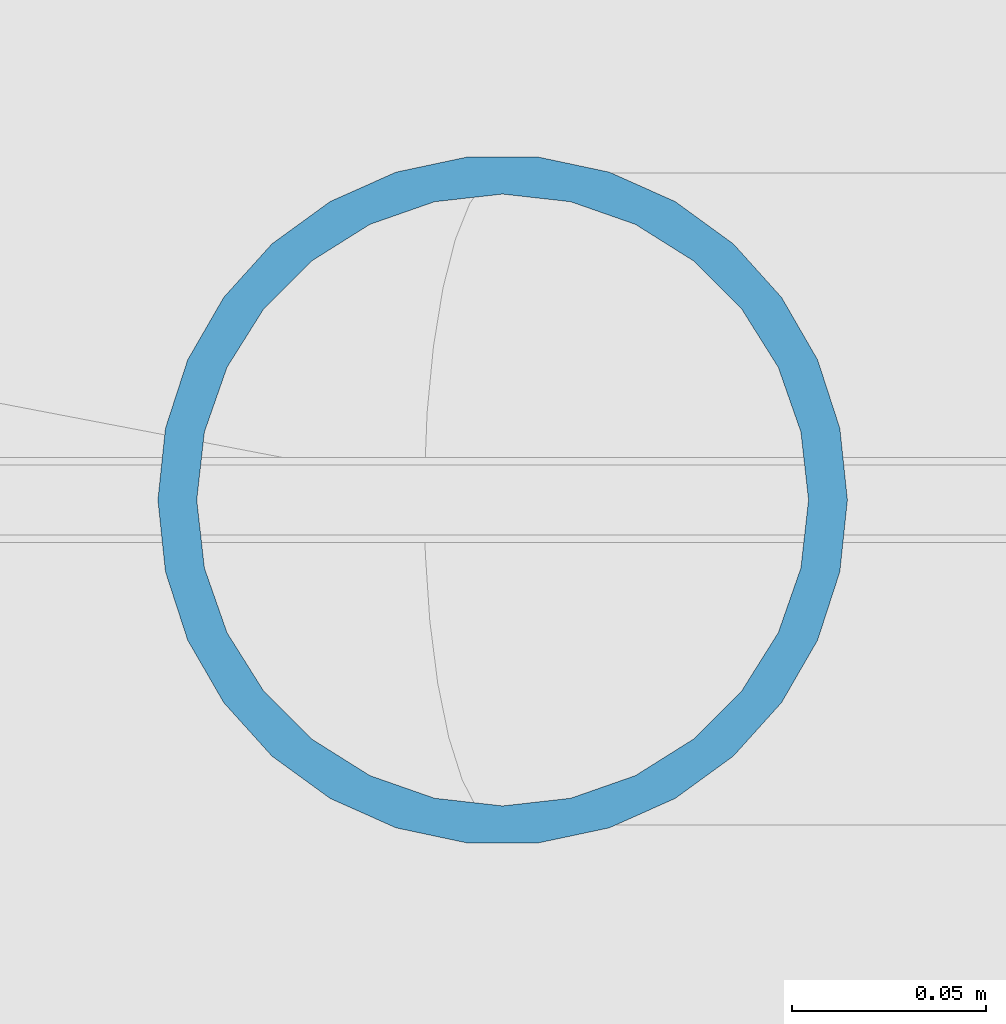
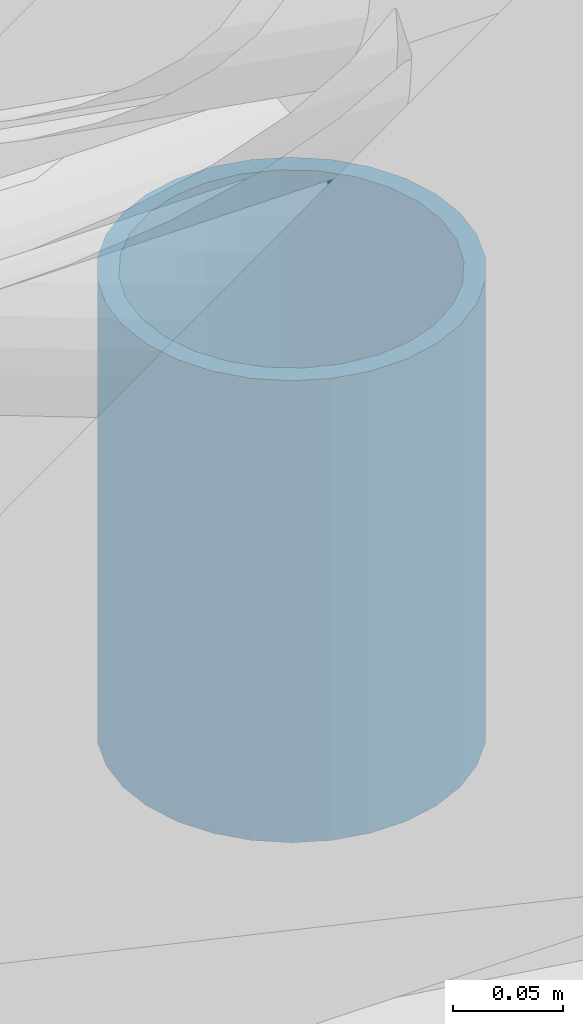
# One storey, part 42 of 66: 1 member.
"""IFC4 building model written with IfcOpenShell, lengths in metres."""

import ifcopenshell
import ifcopenshell.guid

model = None  # the IFC model being written
_history = None  # IfcOwnerHistory: only IFC2X3 demands one
_inside = {}  # id of a spatial element -> (the spatial element, [elements in it])
_under = {}  # id of a project, library or spatial element -> (it, [spatial elements below it])
_declared = {}  # id of a project -> (the project, [libraries it declares])
_typed = {}  # id of a type object -> (the type object, [elements of that type])
_made_of = {}  # id of a material, layer set ... -> (it, [elements and type objects made of it])


def new_model(schema):
    """Start an empty IFC model of exactly this schema.

    Asked for "IFC4X3", IfcOpenShell would pick the latest addendum, in which some entities
    have other attributes; the version numbers below select the first issue.
    IFC2X3 requires an IfcOwnerHistory on every rooted entity: one is made here for all.
    """
    global model, _history
    if schema == "IFC4X3":
        model = ifcopenshell.file(schema_version=(4, 3, 0, 0))
    else:
        model = ifcopenshell.file(schema=schema)
    _inside.clear()
    _under.clear()
    _declared.clear()
    _typed.clear()
    _made_of.clear()
    _history = None
    if model.schema == "IFC2X3":
        org = make("IfcOrganization", Name="unknown")
        user = make(
            "IfcPersonAndOrganization",
            ThePerson=make("IfcPerson", FamilyName="unknown"),
            TheOrganization=org,
        )
        app = make(
            "IfcApplication",
            ApplicationDeveloper=org,
            Version="unknown",
            ApplicationFullName="unknown",
            ApplicationIdentifier="unknown",
        )
        _history = make(
            "IfcOwnerHistory",
            OwningUser=user,
            OwningApplication=app,
            ChangeAction="ADDED",
            CreationDate=0,
        )
    return model


def make(cls, **values):
    """One entity of the class cls with the attributes given. An attribute that is None is left unset."""
    return model.create_entity(
        cls, **{name: value for name, value in values.items() if value is not None}
    )


def rooted(cls, **values):
    """An entity with a GlobalId (a new one), such as an element, a storey or a relation."""
    return make(cls, GlobalId=ifcopenshell.guid.new(), OwnerHistory=_history, **values)


def si_unit(unit_type, name, prefix=None):
    """IfcSIUnit, for example si_unit("LENGTHUNIT", "METRE", prefix="MILLI")."""
    return make("IfcSIUnit", UnitType=unit_type, Prefix=prefix, Name=name)


def assignment(units):
    """IfcUnitAssignment: the units of a project."""
    return None if units is None else make("IfcUnitAssignment", Units=units)


def point(xyz):
    """IfcCartesianPoint."""
    return None if xyz is None else make("IfcCartesianPoint", Coordinates=xyz)


def direction(xyz):
    """IfcDirection."""
    return None if xyz is None else make("IfcDirection", DirectionRatios=xyz)


def frame(location, z_axis=None, x_axis=None):
    """IfcAxis2Placement3D, a coordinate frame: its origin and axes. An axis left out is left unset."""
    return make(
        "IfcAxis2Placement3D",
        Location=point(location),
        Axis=direction(z_axis),
        RefDirection=direction(x_axis),
    )


def frame_2d(location, x_axis=None):
    """IfcAxis2Placement2D, a coordinate frame in the plane: its origin and x axis."""
    return make(
        "IfcAxis2Placement2D", Location=point(location), RefDirection=direction(x_axis)
    )


def origin():
    """The frame at (0, 0, 0) with its axes left unset."""
    return frame((0.0, 0.0, 0.0))


def origin_2d():
    """The frame at (0, 0) in the plane with its x axis left unset."""
    return frame_2d((0.0, 0.0))


def place(relative_to, where):
    """IfcLocalPlacement: puts the frame where relative to a parent placement (None: the world)."""
    return make(
        "IfcLocalPlacement", PlacementRelTo=relative_to, RelativePlacement=where
    )


def context(
    kind, dimensions, precision=None, world=None, true_north=None, identifier=None
):
    """IfcGeometricRepresentationContext, for example the 3D "Model" context."""
    return make(
        "IfcGeometricRepresentationContext",
        ContextIdentifier=identifier,
        ContextType=kind,
        CoordinateSpaceDimension=dimensions,
        Precision=precision,
        WorldCoordinateSystem=world,
        TrueNorth=true_north,
    )


def subcontext(parent, identifier, kind, view, scale=None):
    """IfcGeometricRepresentationSubContext, for example "Body" below "Model"."""
    return make(
        "IfcGeometricRepresentationSubContext",
        ContextIdentifier=identifier,
        ContextType=kind,
        ParentContext=parent,
        TargetScale=scale,
        TargetView=view,
    )


def project(units=None, contexts=None):
    """IfcProject with its units and contexts."""
    return rooted(
        "IfcProject",
        Name="project",
        RepresentationContexts=contexts,
        UnitsInContext=assignment(units),
    )


def spatial(cls, under=None, at=None, **own):
    """A site, building, storey or space (cls), placed at a placement, below another one or the project."""
    s = rooted(cls, ObjectPlacement=at, **own)
    if under is not None:
        _under.setdefault(under.id(), (under, []))[1].append(s)
    return s


def profile(cls, at=None, kind="AREA", **sizes):
    """A parametric profile (cls). Its sizes go by their IFC names, for example OverallWidth=200.0."""
    return make(cls, ProfileType=kind, Position=at, **sizes)


def hollow_circle(**sizes):
    """IfcCircleHollowProfileDef."""
    return profile("IfcCircleHollowProfileDef", **sizes)


def extrude(swept, where, along, depth):
    """IfcExtrudedAreaSolid: the profile swept, set in the frame where, extruded along a direction by depth."""
    return make(
        "IfcExtrudedAreaSolid",
        SweptArea=swept,
        Position=where,
        ExtrudedDirection=direction(along),
        Depth=depth,
    )


def shape(context_of_items, identifier, shape_type, items):
    """IfcShapeRepresentation: the items that make up one representation, for example the "Body"."""
    return make(
        "IfcShapeRepresentation",
        ContextOfItems=context_of_items,
        RepresentationIdentifier=identifier,
        RepresentationType=shape_type,
        Items=items,
    )


def material(Name=None, Category=None):
    """IfcMaterial."""
    return make("IfcMaterial", Name=Name, Category=Category)


def material_profile(
    of_material, cross_section, Name=None, Category=None, Priority=None
):
    """IfcMaterialProfile: a cross section and its material."""
    return make(
        "IfcMaterialProfile",
        Name=Name,
        Material=of_material,
        Profile=cross_section,
        Priority=Priority,
        Category=Category,
    )


def profile_set(profiles, Name=None, composite=None):
    """IfcMaterialProfileSet."""
    return make(
        "IfcMaterialProfileSet",
        Name=Name,
        MaterialProfiles=profiles,
        CompositeProfile=composite,
    )


def made_of(thing, what):
    """Note that an element or type object is made of a material, layer set ...; save() writes the relation."""
    if what is not None:
        _made_of.setdefault(what.id(), (what, []))[1].append(thing)
    return thing


def type_object(cls, material=None, **own):
    """A type object (cls), such as IfcWallType, which elements share."""
    return made_of(rooted(cls, **own), material)


def element(
    cls,
    number,
    at=None,
    inside=None,
    cuts=None,
    type_object=None,
    material=None,
    context=None,
    identifier="Body",
    shape_type=None,
    held_by="IfcProductDefinitionShape",
    body=None,
    shapes=None,
    **own,
):
    """One element of the class cls, such as IfcWall. Its Tag is "e" and its number.

    at: its placement. inside: the storey or other place that contains it. cuts: it is an
    opening in that element (IfcRelVoidsElement). A single representation is given by context,
    identifier, shape_type and body (its items); several are given by shapes. held_by: the class
    of the entity that holds the representations. save() writes the other relations.
    """
    e = rooted(cls, Tag="e%d" % number, ObjectPlacement=at, **own)
    if body is not None:
        shapes = [shape(context, identifier, shape_type, body)]
    if shapes is not None:
        e.Representation = make(held_by, Representations=shapes)
    if inside is not None:
        _inside.setdefault(inside.id(), (inside, []))[1].append(e)
    if cuts is not None:
        rooted(
            "IfcRelVoidsElement", RelatingBuildingElement=cuts, RelatedOpeningElement=e
        )
    if type_object is not None:
        _typed.setdefault(type_object.id(), (type_object, []))[1].append(e)
    return made_of(e, material)


def aggregate(whole, parts):
    """IfcRelAggregates: a whole, such as a stair, and the parts it consists of."""
    return rooted("IfcRelAggregates", RelatingObject=whole, RelatedObjects=parts)


def save(model, path):
    """Write the relations noted so far, then the file.

    IfcRelAggregates (storeys below a building ...), IfcRelContainedInSpatialStructure (elements
    in a storey), IfcRelDefinesByType, IfcRelAssociatesMaterial and IfcRelDeclares: one each for
    every whole, place, type object, material and project.
    """
    for whole, parts in _under.values():
        aggregate(whole, parts)
    for where, things in _inside.values():
        rooted(
            "IfcRelContainedInSpatialStructure",
            RelatedElements=things,
            RelatingStructure=where,
        )
    for kind, things in _typed.values():
        rooted("IfcRelDefinesByType", RelatedObjects=things, RelatingType=kind)
    for what, things in _made_of.values():
        rooted("IfcRelAssociatesMaterial", RelatedObjects=things, RelatingMaterial=what)
    for by, libraries in _declared.values():
        rooted("IfcRelDeclares", RelatingContext=by, RelatedDefinitions=libraries)
    model.write(path)


model = new_model("IFC4")

# Units and contexts
model_context = context("Model", 3, precision=1e-05, world=origin(), true_north=direction((0.0, 1.0)))
body_context = subcontext(model_context, "Body", "Model", "MODEL_VIEW")
ifc_project = project(units=[si_unit("LENGTHUNIT", "METRE"), si_unit("AREAUNIT", "SQUARE_METRE"), si_unit("VOLUMEUNIT", "CUBIC_METRE"), si_unit("PLANEANGLEUNIT", "RADIAN"), si_unit("MASSUNIT", "GRAM", prefix="KILO")], contexts=[model_context])

# Site, building, storey
site_placement = place(None, origin())
site = spatial("IfcSite", under=ifc_project, at=site_placement, CompositionType="ELEMENT")
building_placement = place(site_placement, origin())
building = spatial("IfcBuilding", under=site, at=building_placement, Name="Zornivar Specialist Clinic", CompositionType="ELEMENT")
storey_placement = place(building_placement, frame((0.0, 0.0, 16.0)))
storey = spatial("IfcBuildingStorey", under=building, at=storey_placement, Name="L04", CompositionType="ELEMENT", Elevation=16.0)

# Member
ifc_material = material(Name="Steel S355J2", Category="steel")
ifc_material_profile = material_profile(ifc_material, hollow_circle(Radius=0.0888671875, WallThickness=0.010009765625, at=origin_2d()), Name="CHS 177.8x10")
ifc_profile_set = profile_set([ifc_material_profile], Name="Steel S355J2")
member_type = type_object("IfcMemberType", Name="MEM-STRUT-CHS178", PredefinedType="STRUT", material=ifc_profile_set)
member_placement = place(storey_placement, frame((125.60009765625, 57.60009765625, -0.080078125), z_axis=(0.0, 0.0, 1.0), x_axis=(1.0, 0.0, 0.0)))
element("IfcMember", 1, at=member_placement, inside=storey, type_object=member_type, Name="mem:V1:L04:post:out:0", PredefinedType="STRUT", context=body_context, shape_type="SweptSolid", body=[
    extrude(hollow_circle(Radius=0.0888671875, WallThickness=0.010009765625, at=origin_2d()), origin(), (0.0, 0.0, 1.0), 0.257080078125),
])

save(model, "model.ifc")
